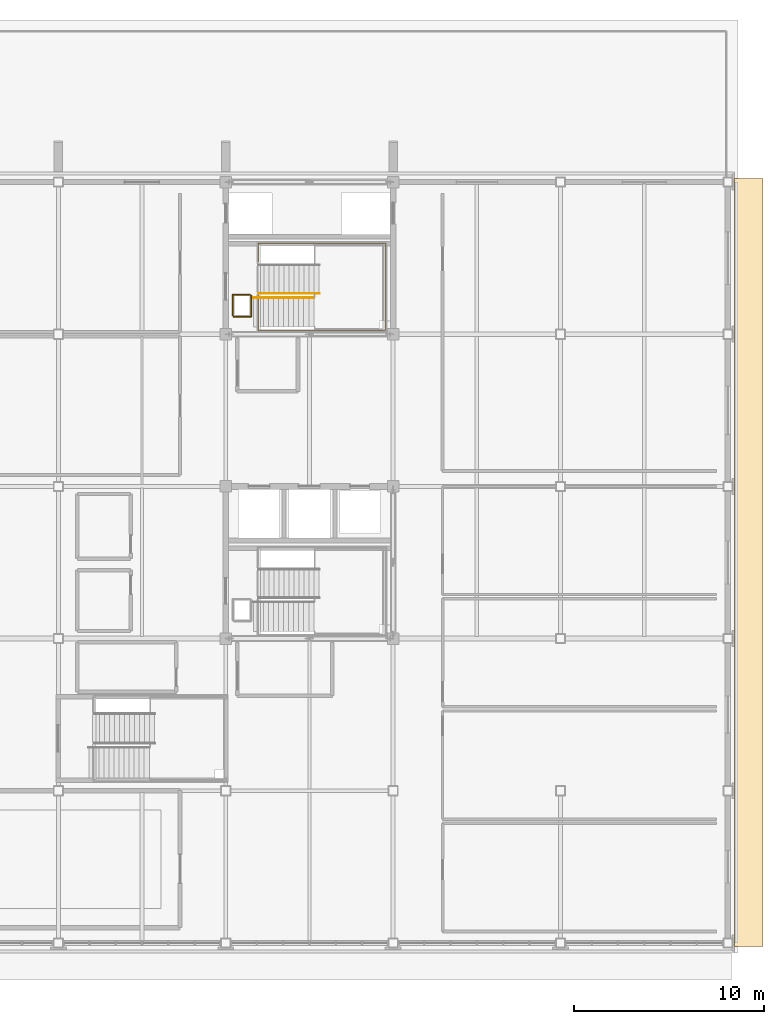
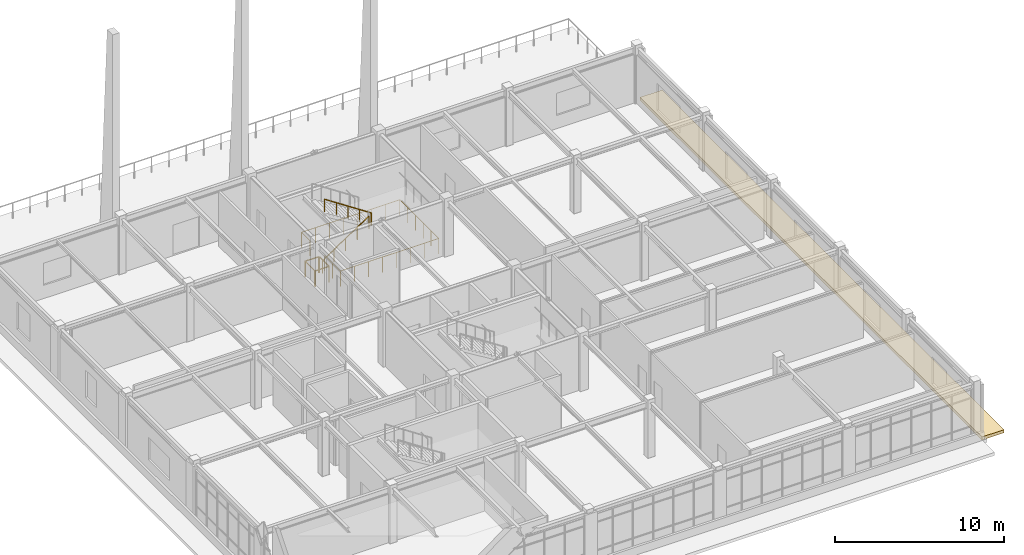
# One storey, part 20 of 22: 5 railings, 1 covering.
"""IFC4 building model written with IfcOpenShell, lengths in metres."""

from ifc_helpers import new_model, si_unit, direction, frame, origin, origin_2d, place, context, subcontext, project, spatial, rectangle, circle, extrude, material, layer, layer_set, type_object, element, save


model = new_model("IFC4")

# Units and contexts
model_context = context("Model", 3, precision=1e-05, world=origin(), true_north=direction((0.0, 1.0)))
body_context = subcontext(model_context, "Body", "Model", "MODEL_VIEW")
ifc_project = project(units=[si_unit("LENGTHUNIT", "METRE"), si_unit("AREAUNIT", "SQUARE_METRE"), si_unit("VOLUMEUNIT", "CUBIC_METRE"), si_unit("PLANEANGLEUNIT", "RADIAN"), si_unit("MASSUNIT", "GRAM", prefix="KILO")], contexts=[model_context])

# Site, building, storey
site_placement = place(None, origin())
site = spatial("IfcSite", under=ifc_project, at=site_placement, CompositionType="ELEMENT")
building_placement = place(site_placement, origin())
building = spatial("IfcBuilding", under=site, at=building_placement, Name="Zhaolan Boulevard Law Courts", CompositionType="ELEMENT")
storey_placement = place(building_placement, frame((0.0, 0.0, 28.800048828125)))
storey = spatial("IfcBuildingStorey", under=building, at=storey_placement, Name="L06", CompositionType="ELEMENT", Elevation=28.800048828125)

# Covering
ifc_material_1 = material(Name="Fair-faced architectural concrete C40", Category="concrete")
ifc_layer = layer(ifc_material_1, 0.219970703125)
ifc_layer_set = layer_set([ifc_layer])
covering_type = type_object("IfcCoveringType", Name="CONCRETE STORMHOOD 220", PredefinedType="CLADDING", material=ifc_layer_set)
covering_placement = place(storey_placement, frame((45.10009765625, 50.0, -0.22021484375), z_axis=(0.0, 0.0, 1.0), x_axis=(1.0, 0.0, 0.0)))
element("IfcCovering", 1, at=covering_placement, inside=storey, type_object=covering_type, Name="Sculpted Concrete Typhoon Stormhood CSH-08", PredefinedType="CLADDING", context=body_context, shape_type="SweptSolid", body=[
    extrude(rectangle(XDim=1.5, YDim=40.39990234375, at=origin_2d()), origin(), (0.0, 0.0, 1.0), 0.219970703125),
])

# Railings
ifc_material_2 = material(Name="Powder-coated steel and tempered laminated glass", Category="steel")
railing_type_1 = type_object("IfcRailingType", Name="INTERIOR GUARDRAIL 1150", PredefinedType="GUARDRAIL", material=ifc_material_2)
railing_1_placement = place(storey_placement, frame((18.010009765625, 62.919921875, 0.0)))
element("IfcRailing", 2, at=railing_1_placement, inside=storey, type_object=railing_type_1, Name="Atrium Gallery Guardrail VG-6-V5-10A", PredefinedType="GUARDRAIL", context=body_context, shape_type="SweptSolid", body=[
    extrude(circle(Radius=0.02490234375, at=origin_2d()), frame((0.0, 0.0, 1.125), z_axis=(1.0, 0.0, 0.0), x_axis=(0.0, 1.0, 0.0)), (0.0, 0.0, 1.0), 0.919921875),
    extrude(circle(Radius=0.02490234375, at=origin_2d()), frame((0.919921875, 0.0, 1.125), z_axis=(0.0, 1.0, 0.0), x_axis=(-1.0, 0.0, 0.0)), (0.0, 0.0, 1.0), 1.1201171875),
    extrude(circle(Radius=0.02099609375, at=origin_2d()), origin(), (0.0, 0.0, 1.0), 1.099853515625),
    extrude(circle(Radius=0.02099609375, at=origin_2d()), frame((0.919921875, 0.0, 0.0)), (0.0, 0.0, 1.0), 1.099853515625),
    extrude(circle(Radius=0.02099609375, at=origin_2d()), frame((0.919921875, 1.1201171875, 0.0)), (0.0, 0.0, 1.0), 1.099853515625),
])
railing_2_placement = place(storey_placement, frame((18.8701171875, 64.080078125, 0.0)))
element("IfcRailing", 3, at=railing_2_placement, inside=storey, type_object=railing_type_1, Name="Atrium Gallery Guardrail VG-6-V5-10B", PredefinedType="GUARDRAIL", context=body_context, shape_type="SweptSolid", body=[
    extrude(circle(Radius=0.02490234375, at=origin_2d()), frame((0.0, 0.0, 1.125), z_axis=(-1.0, 0.0, 0.0), x_axis=(0.0, -1.0, 0.0)), (0.0, 0.0, 1.0), 0.900146484375),
    extrude(circle(Radius=0.02490234375, at=origin_2d()), frame((-0.900146484375, 0.0, 1.125), z_axis=(0.0, -1.0, 0.0), x_axis=(1.0, 0.0, 0.0)), (0.0, 0.0, 1.0), 1.10009765625),
    extrude(circle(Radius=0.02099609375, at=origin_2d()), origin(), (0.0, 0.0, 1.0), 1.099853515625),
    extrude(circle(Radius=0.02099609375, at=origin_2d()), frame((-0.900146484375, 0.0, 0.0)), (0.0, 0.0, 1.0), 1.099853515625),
    extrude(circle(Radius=0.02099609375, at=origin_2d()), frame((-0.900146484375, -1.10009765625, 0.0)), (0.0, 0.0, 1.0), 1.099853515625),
])
ifc_material_3 = material(Name="Brushed stainless steel tubular handrail", Category="steel")
railing_type_2 = type_object("IfcRailingType", Name="STAIR HANDRAIL 900", PredefinedType="HANDRAIL", material=ifc_material_3)
railing_3_placement = place(storey_placement, frame((19.050048828125, 63.919921875, 0.0)))
element("IfcRailing", 4, at=railing_3_placement, inside=storey, type_object=railing_type_2, Name="Stair Handrail HR-ST02-L06-1", PredefinedType="HANDRAIL", context=body_context, shape_type="SweptSolid", body=[
    extrude(circle(Radius=0.0224609375, at=origin_2d()), frame((0.0, 0.0, 0.87744140625), z_axis=(0.834476838559, 0.0, 0.551043016387), x_axis=(0.0, 1.0, 0.0)), (0.0, 0.0, 1.0), 3.810791015625),
    extrude(circle(Radius=0.01904296875, at=origin_2d()), origin(), (0.0, 0.0, 1.0), 0.85498046875),
    extrude(circle(Radius=0.01904296875, at=origin_2d()), frame((0.794921875, 0.0, 0.52490234375)), (0.0, 0.0, 1.0), 0.85498046875),
    extrude(circle(Radius=0.01904296875, at=origin_2d()), frame((1.58984375, 0.0, 1.0498046875)), (0.0, 0.0, 1.0), 0.85498046875),
    extrude(circle(Radius=0.01904296875, at=origin_2d()), frame((2.385009765625, 0.0, 1.574951171875)), (0.0, 0.0, 1.0), 0.85498046875),
    extrude(circle(Radius=0.01904296875, at=origin_2d()), frame((3.179931640625, 0.0, 2.099853515625)), (0.0, 0.0, 1.0), 0.85498046875),
])
railing_4_placement = place(storey_placement, frame((22.514892578125, 64.139892578125, 2.099853515625)))
element("IfcRailing", 5, at=railing_4_placement, inside=storey, type_object=railing_type_2, Name="Stair Handrail HR-ST02-L06-2", PredefinedType="HANDRAIL", context=body_context, shape_type="SweptSolid", body=[
    extrude(circle(Radius=0.0224609375, at=origin_2d()), frame((0.0, 0.0, 0.87744140625), z_axis=(-0.834447378162, 0.0, 0.551087627405), x_axis=(0.0, -1.0, 0.0)), (0.0, 0.0, 1.0), 3.810791015625),
    extrude(circle(Radius=0.01904296875, at=origin_2d()), origin(), (0.0, 0.0, 1.0), 0.85498046875),
    extrude(circle(Radius=0.01904296875, at=origin_2d()), frame((-0.794921875, 0.0, 0.52490234375)), (0.0, 0.0, 1.0), 0.85498046875),
    extrude(circle(Radius=0.01904296875, at=origin_2d()), frame((-1.58984375, 0.0, 1.050048828125)), (0.0, 0.0, 1.0), 0.85498046875),
    extrude(circle(Radius=0.01904296875, at=origin_2d()), frame((-2.385009765625, 0.0, 1.5751953125)), (0.0, 0.0, 1.0), 0.85498046875),
    extrude(circle(Radius=0.01904296875, at=origin_2d()), frame((-3.179931640625, 0.0, 2.10009765625)), (0.0, 0.0, 1.0), 0.85498046875),
])
ifc_material_4 = material(Name="Powder-coated steel baluster guardrail", Category="steel")
railing_type_3 = type_object("IfcRailingType", Name="STAIR WELL GUARDRAIL 1120", PredefinedType="GUARDRAIL", material=ifc_material_4)
railing_5_placement = place(storey_placement, frame((19.2900390625, 64.050048828125, 0.0)))
element("IfcRailing", 6, at=railing_5_placement, inside=storey, type_object=railing_type_3, Name="Stair-Well Floor Guardrail WG-ST02-L05", PredefinedType="GUARDRAIL", context=body_context, shape_type="SweptSolid", body=[
    extrude(circle(Radius=0.02392578125, at=origin_2d()), frame((0.0, 0.0, 1.09619140625), z_axis=(0.0, -1.0, 0.0), x_axis=(1.0, 0.0, 0.0)), (0.0, 0.0, 1.0), 1.85009765625),
    extrude(circle(Radius=0.02392578125, at=origin_2d()), frame((0.0, -1.85009765625, 1.09619140625), z_axis=(1.0, 0.0, 0.0), x_axis=(0.0, 1.0, 0.0)), (0.0, 0.0, 1.0), 6.7099609375),
    extrude(circle(Radius=0.02392578125, at=origin_2d()), frame((6.7099609375, -1.85009765625, 1.09619140625), z_axis=(0.0, 1.0, 0.0), x_axis=(-1.0, 0.0, 0.0)), (0.0, 0.0, 1.0), 4.60009765625),
    extrude(circle(Radius=0.02392578125, at=origin_2d()), frame((6.7099609375, 2.75, 1.09619140625), z_axis=(-1.0, 0.0, 0.0), x_axis=(0.0, -1.0, 0.0)), (0.0, 0.0, 1.0), 6.7099609375),
    extrude(circle(Radius=0.02392578125, at=origin_2d()), frame((0.0, 2.75, 1.09619140625), z_axis=(0.0, -1.0, 0.0), x_axis=(1.0, 0.0, 0.0)), (0.0, 0.0, 1.0), 1.0),
    extrude(circle(Radius=0.02099609375, at=origin_2d()), origin(), (0.0, 0.0, 1.0), 1.072021484375),
    extrude(circle(Radius=0.02099609375, at=origin_2d()), frame((0.0, -0.925048828125, 0.0)), (0.0, 0.0, 1.0), 1.072021484375),
    extrude(circle(Radius=0.02099609375, at=origin_2d()), frame((0.0, -1.85009765625, 0.0)), (0.0, 0.0, 1.0), 1.072021484375),
    extrude(circle(Radius=0.02099609375, at=origin_2d()), frame((0.95849609375, -1.85009765625, 0.0)), (0.0, 0.0, 1.0), 1.072021484375),
    extrude(circle(Radius=0.02099609375, at=origin_2d()), frame((1.917236328125, -1.85009765625, 0.0)), (0.0, 0.0, 1.0), 1.072021484375),
    extrude(circle(Radius=0.02099609375, at=origin_2d()), frame((2.875732421875, -1.85009765625, 0.0)), (0.0, 0.0, 1.0), 1.072021484375),
    extrude(circle(Radius=0.02099609375, at=origin_2d()), frame((3.834228515625, -1.85009765625, 0.0)), (0.0, 0.0, 1.0), 1.072021484375),
    extrude(circle(Radius=0.02099609375, at=origin_2d()), frame((4.792724609375, -1.85009765625, 0.0)), (0.0, 0.0, 1.0), 1.072021484375),
    extrude(circle(Radius=0.02099609375, at=origin_2d()), frame((5.75146484375, -1.85009765625, 0.0)), (0.0, 0.0, 1.0), 1.072021484375),
    extrude(circle(Radius=0.02099609375, at=origin_2d()), frame((6.7099609375, -1.85009765625, 0.0)), (0.0, 0.0, 1.0), 1.072021484375),
    extrude(circle(Radius=0.02099609375, at=origin_2d()), frame((6.7099609375, -0.93017578125, 0.0)), (0.0, 0.0, 1.0), 1.072021484375),
    extrude(circle(Radius=0.02099609375, at=origin_2d()), frame((6.7099609375, -0.010009765625, 0.0)), (0.0, 0.0, 1.0), 1.072021484375),
    extrude(circle(Radius=0.02099609375, at=origin_2d()), frame((6.7099609375, 0.909912109375, 0.0)), (0.0, 0.0, 1.0), 1.072021484375),
    extrude(circle(Radius=0.02099609375, at=origin_2d()), frame((6.7099609375, 1.830078125, 0.0)), (0.0, 0.0, 1.0), 1.072021484375),
    extrude(circle(Radius=0.02099609375, at=origin_2d()), frame((6.7099609375, 2.75, 0.0)), (0.0, 0.0, 1.0), 1.072021484375),
    extrude(circle(Radius=0.02099609375, at=origin_2d()), frame((5.75146484375, 2.75, 0.0)), (0.0, 0.0, 1.0), 1.072021484375),
    extrude(circle(Radius=0.02099609375, at=origin_2d()), frame((4.792724609375, 2.75, 0.0)), (0.0, 0.0, 1.0), 1.072021484375),
    extrude(circle(Radius=0.02099609375, at=origin_2d()), frame((3.834228515625, 2.75, 0.0)), (0.0, 0.0, 1.0), 1.072021484375),
    extrude(circle(Radius=0.02099609375, at=origin_2d()), frame((2.875732421875, 2.75, 0.0)), (0.0, 0.0, 1.0), 1.072021484375),
    extrude(circle(Radius=0.02099609375, at=origin_2d()), frame((1.917236328125, 2.75, 0.0)), (0.0, 0.0, 1.0), 1.072021484375),
    extrude(circle(Radius=0.02099609375, at=origin_2d()), frame((0.95849609375, 2.75, 0.0)), (0.0, 0.0, 1.0), 1.072021484375),
    extrude(circle(Radius=0.02099609375, at=origin_2d()), frame((0.0, 2.75, 0.0)), (0.0, 0.0, 1.0), 1.072021484375),
    extrude(circle(Radius=0.02099609375, at=origin_2d()), frame((0.0, 1.75, 0.0)), (0.0, 0.0, 1.0), 1.072021484375),
])

save(model, "model.ifc")
